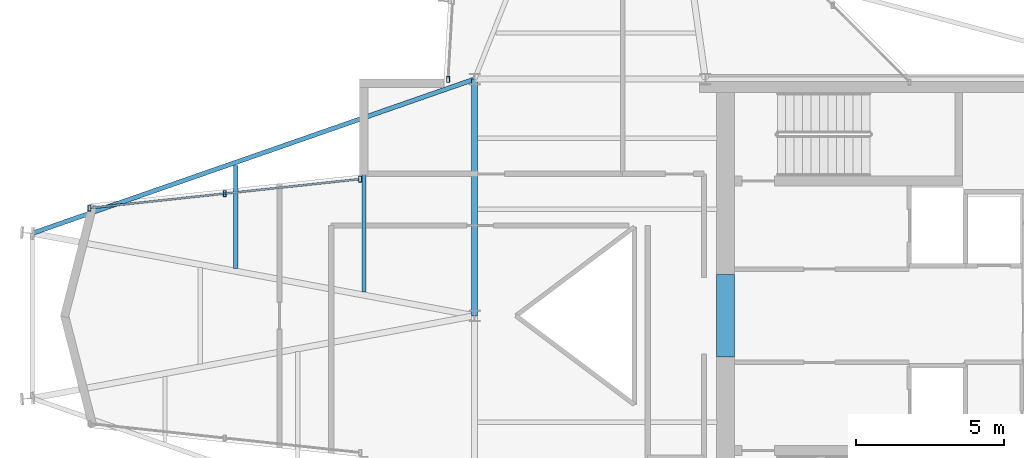
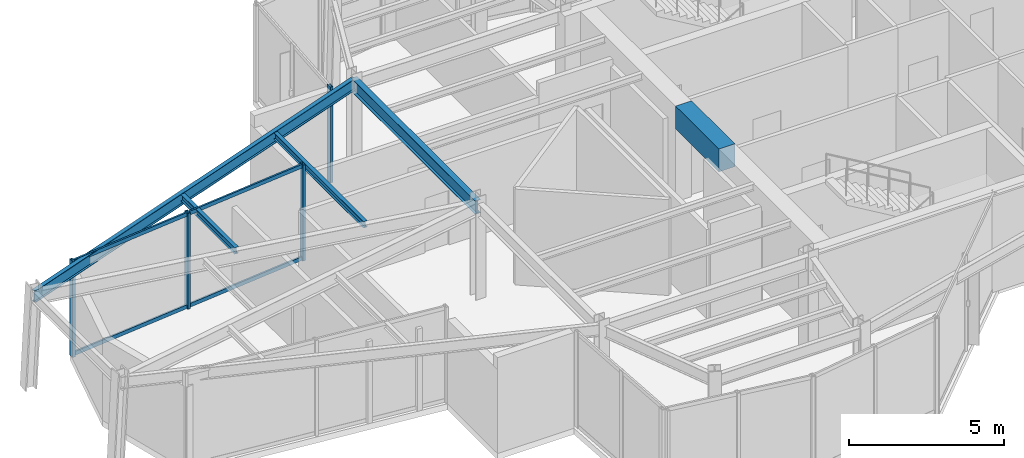
# One storey, part 4 of 13: 6 members, 5 beams, 2 elements without a shape of their own.
"""IFC4 building model written with IfcOpenShell, lengths in metres."""

from ifc_helpers import new_model, si_unit, direction, frame, origin, origin_2d, place, context, subcontext, project, spatial, rectangle, hollow_rectangle, i_section, extrude, material, layer, layer_set, material_profile, profile_set, type_object, element, aggregate, save


model = new_model("IFC4")

# Units and contexts
model_context = context("Model", 3, precision=1e-05, world=origin(), true_north=direction((0.0, 1.0)))
body_context = subcontext(model_context, "Body", "Model", "MODEL_VIEW")
ifc_project = project(units=[si_unit("LENGTHUNIT", "METRE"), si_unit("AREAUNIT", "SQUARE_METRE"), si_unit("VOLUMEUNIT", "CUBIC_METRE"), si_unit("PLANEANGLEUNIT", "RADIAN"), si_unit("MASSUNIT", "GRAM", prefix="KILO")], contexts=[model_context])

# Site, building, storey
site_placement = place(None, origin())
site = spatial("IfcSite", under=ifc_project, at=site_placement, CompositionType="ELEMENT")
building_placement = place(site_placement, origin())
building = spatial("IfcBuilding", under=site, at=building_placement, Name="Veymaron Broadcast Tower", CompositionType="ELEMENT")
storey_placement = place(building_placement, frame((0.0, 0.0, 311.39990234375)))
storey = spatial("IfcBuildingStorey", under=building, at=storey_placement, Name="L73", CompositionType="ELEMENT", Elevation=311.39990234375)

# Beams
ifc_material_1 = material(Name="Concrete C60/75", Category="concrete")
ifc_material_profile_1 = material_profile(ifc_material_1, rectangle(XDim=0.60009765625, YDim=0.89990234375, at=origin_2d()), Name="RC600X900")
ifc_profile_set_1 = profile_set([ifc_material_profile_1], Name="Concrete C60/75")
beam_type_1 = type_object("IfcBeamType", Name="BM-CB2", PredefinedType="LINTEL", material=ifc_profile_set_1)
beam_1_placement = place(storey_placement, frame((39.679931640625, 22.60009765625, 3.330078125), z_axis=(0.0, 1.0, 0.0), x_axis=(-1.0, 0.0, 0.0)))
element("IfcBeam", 1, at=beam_1_placement, inside=storey, type_object=beam_type_1, Name="L73 Core Wall west coupling beam", PredefinedType="LINTEL", context=body_context, shape_type="SweptSolid", body=[
    extrude(rectangle(XDim=0.60009765625, YDim=0.89990234375, at=origin_2d()), origin(), (0.0, 0.0, 1.0), 2.7998046875),
])
ifc_material_2 = material(Name="Structural steel ASTM A992 Gr 50", Category="steel")
ifc_material_profile_2 = material_profile(ifc_material_2, i_section(OverallWidth=0.208984375, OverallDepth=0.528076171875, WebThickness=0.009521484375, FlangeThickness=0.01318359375, at=origin_2d()), Name="W530X82")
ifc_profile_set_2 = profile_set([ifc_material_profile_2], Name="Structural steel ASTM A992 Gr 50")
beam_type_2 = type_object("IfcBeamType", Name="BM-FG4", PredefinedType="BEAM", material=ifc_profile_set_2)
beam_2_placement = place(storey_placement, frame((31.199951171875, 24.0, 3.51611328125), z_axis=(0.0, 1.0, 0.0), x_axis=(-1.0, 0.0, 0.0)))
element("IfcBeam", 2, at=beam_2_placement, inside=storey, type_object=beam_type_2, Name="L73 primary structural floor girder", PredefinedType="BEAM", context=body_context, shape_type="SweptSolid", body=[
    extrude(i_section(OverallWidth=0.208984375, OverallDepth=0.528076171875, WebThickness=0.009521484375, FlangeThickness=0.01318359375, at=origin_2d()), origin(), (0.0, 0.0, 1.0), 8.0),
])
ifc_material_profile_3 = material_profile(ifc_material_2, i_section(OverallWidth=0.14599609375, OverallDepth=0.258056640625, WebThickness=0.006103515625, FlangeThickness=0.009033203125, at=origin_2d()), Name="W250X33")
ifc_profile_set_3 = profile_set([ifc_material_profile_3], Name="Structural steel ASTM A992 Gr 50")
beam_type_3 = type_object("IfcBeamType", Name="BM-JS4", PredefinedType="JOIST", material=ifc_profile_set_3)
beam_3_placement = place(storey_placement, frame((23.12451171875, 25.60546875, 3.651123046875), z_axis=(0.0, 1.0, 0.0), x_axis=(-1.0, 0.0, 0.0)))
element("IfcBeam", 3, at=beam_3_placement, inside=storey, type_object=beam_type_3, Name="L73 Arm-A secondary joist 1N", PredefinedType="JOIST", context=body_context, shape_type="SweptSolid", body=[
    extrude(i_section(OverallWidth=0.14599609375, OverallDepth=0.258056640625, WebThickness=0.006103515625, FlangeThickness=0.009033203125, at=origin_2d()), origin(), (0.0, 0.0, 1.0), 3.47998046875),
])
beam_4_placement = place(storey_placement, frame((27.46142578125, 24.797119140625, 3.651123046875), z_axis=(0.0, 1.0, 0.0), x_axis=(-1.0, 0.0, 0.0)))
element("IfcBeam", 4, at=beam_4_placement, inside=storey, type_object=beam_type_3, Name="L73 Arm-A secondary joist 2N", PredefinedType="JOIST", context=body_context, shape_type="SweptSolid", body=[
    extrude(i_section(OverallWidth=0.14599609375, OverallDepth=0.258056640625, WebThickness=0.006103515625, FlangeThickness=0.009033203125, at=origin_2d()), origin(), (0.0, 0.0, 1.0), 5.7998046875),
])
ifc_material_profile_4 = material_profile(ifc_material_2, i_section(OverallWidth=0.154052734375, OverallDepth=0.458984375, WebThickness=0.009033203125, FlangeThickness=0.015380859375, at=origin_2d()), Name="W460X68")
ifc_profile_set_4 = profile_set([ifc_material_profile_4], Name="Structural steel ASTM A992 Gr 50")
beam_type_4 = type_object("IfcBeamType", Name="BM-SP2", PredefinedType="SPANDREL", material=ifc_profile_set_4)
beam_5_placement = place(storey_placement, frame((16.24560546875, 26.7880859375, 3.550537109375), z_axis=(0.944292797804, 0.329106535966, 0.0), x_axis=(-0.329106535966, 0.944292797804, 0.0)))
element("IfcBeam", 5, at=beam_5_placement, inside=storey, type_object=beam_type_4, Name="L73 primary structural floor girder", PredefinedType="SPANDREL", context=body_context, shape_type="SweptSolid", body=[
    extrude(i_section(OverallWidth=0.154052734375, OverallDepth=0.458984375, WebThickness=0.009033203125, FlangeThickness=0.015380859375, at=origin_2d()), origin(), (0.0, 0.0, 1.0), 15.836669921875),
])

# Curtain wall, member
ifc_material_3 = material(Name="Anodised aluminium AA 6063-T6 and laminated low-E dark glass", Category="aluminium")
ifc_layer = layer(ifc_material_3, 0.179931640625)
ifc_layer_set = layer_set([ifc_layer], Name="Anodised aluminium AA 6063-T6 and laminated low-E dark glass")
curtain_wall_type = type_object("IfcCurtainWallType", Name="CW-SYS-06", PredefinedType="NOTDEFINED", material=ifc_layer_set)
curtain_wall_1_placement = place(storey_placement, origin())
curtain_wall_1 = element("IfcCurtainWall", 6, at=curtain_wall_1_placement, inside=storey, type_object=curtain_wall_type, Name="L73 dark-glass curtain wall CW-L73-E8-1", PredefinedType="NOTDEFINED")
ifc_material_4 = material(Name="Anodised aluminium AA 6063-T6", Category="aluminium")
ifc_material_profile_5 = material_profile(ifc_material_4, hollow_rectangle(XDim=0.10009765625, YDim=0.199951171875, WallThickness=0.010009765625, at=origin_2d()), Name="RHS200X100X10")
ifc_profile_set_5 = profile_set([ifc_material_profile_5], Name="Anodised aluminium AA 6063-T6")
member_type_1 = type_object("IfcMemberType", Name="CW-MUL-01", PredefinedType="MULLION", material=ifc_profile_set_5)
member_1_placement = place(storey_placement, frame((30.2998046875, 31.991943359375, 0.0), z_axis=(0.0, 0.0, 1.0), x_axis=(1.0, 0.0, 0.0)))
member_1 = element("IfcMember", 7, at=member_1_placement, type_object=member_type_1, Name="CW-L73-E8-1 mullion 2", PredefinedType="MULLION", context=body_context, shape_type="SweptSolid", body=[
    extrude(hollow_rectangle(XDim=0.10009765625, YDim=0.199951171875, WallThickness=0.010009765625, at=origin_2d()), origin(), (0.0, 0.0, 1.0), 3.780029296875),
])
aggregate(curtain_wall_1, [member_1])

# Curtain wall, members
curtain_wall_2_placement = place(storey_placement, origin())
curtain_wall_2 = element("IfcCurtainWall", 8, at=curtain_wall_2_placement, inside=storey, type_object=curtain_wall_type, Name="L73 dark-glass curtain wall CW-L73-E11-1", PredefinedType="NOTDEFINED")
member_2_placement = place(storey_placement, frame((27.32861328125, 28.62060546875, 0.0), z_axis=(0.0, 0.0, 1.0), x_axis=(1.0, 0.0, 0.0)))
member_2 = element("IfcMember", 9, at=member_2_placement, type_object=member_type_1, Name="CW-L73-E11-1 mullion 0", PredefinedType="MULLION", context=body_context, shape_type="SweptSolid", body=[
    extrude(hollow_rectangle(XDim=0.10009765625, YDim=0.199951171875, WallThickness=0.010009765625, at=origin_2d()), origin(), (0.0, 0.0, 1.0), 3.780029296875),
])
member_3_placement = place(storey_placement, frame((22.751708984375, 28.130859375, 0.0), z_axis=(0.0, 0.0, 1.0), x_axis=(1.0, 0.0, 0.0)))
member_3 = element("IfcMember", 10, at=member_3_placement, type_object=member_type_1, Name="CW-L73-E11-1 mullion 1", PredefinedType="MULLION", context=body_context, shape_type="SweptSolid", body=[
    extrude(hollow_rectangle(XDim=0.10009765625, YDim=0.199951171875, WallThickness=0.010009765625, at=origin_2d()), origin(), (0.0, 0.0, 1.0), 3.780029296875),
])
member_4_placement = place(storey_placement, frame((18.1748046875, 27.64111328125, 0.0), z_axis=(0.0, 0.0, 1.0), x_axis=(1.0, 0.0, 0.0)))
member_4 = element("IfcMember", 11, at=member_4_placement, type_object=member_type_1, Name="CW-L73-E11-1 mullion 2", PredefinedType="MULLION", context=body_context, shape_type="SweptSolid", body=[
    extrude(hollow_rectangle(XDim=0.10009765625, YDim=0.199951171875, WallThickness=0.010009765625, at=origin_2d()), origin(), (0.0, 0.0, 1.0), 3.780029296875),
])
ifc_material_profile_6 = material_profile(ifc_material_4, hollow_rectangle(XDim=0.06494140625, YDim=0.14990234375, WallThickness=0.00390625, at=origin_2d()), Name="AL150X65X4")
ifc_profile_set_6 = profile_set([ifc_material_profile_6], Name="Anodised aluminium AA 6063-T6")
member_type_2 = type_object("IfcMemberType", Name="CW-TRN-01", PredefinedType="USERDEFINED", material=ifc_profile_set_6)
member_5_placement = place(storey_placement, frame((27.27880859375, 28.615478515625, 0.070068359375), z_axis=(-0.994319089673, -0.106440349081, 0.0), x_axis=(0.106440349081, -0.994319089673, 0.0)))
member_5 = element("IfcMember", 12, at=member_5_placement, type_object=member_type_2, Name="CW-L73-E11-1 transom B", ObjectType="TRANSOM", PredefinedType="USERDEFINED", context=body_context, shape_type="SweptSolid", body=[
    extrude(hollow_rectangle(XDim=0.06494140625, YDim=0.14990234375, WallThickness=0.00390625, at=origin_2d()), origin(), (0.0, 0.0, 1.0), 9.10595703125),
])
member_6_placement = place(storey_placement, frame((27.27880859375, 28.615478515625, 3.710205078125), z_axis=(-0.994319089673, -0.106440349081, 0.0), x_axis=(0.106440349081, -0.994319089673, 0.0)))
member_6 = element("IfcMember", 13, at=member_6_placement, type_object=member_type_2, Name="CW-L73-E11-1 transom T", ObjectType="TRANSOM", PredefinedType="USERDEFINED", context=body_context, shape_type="SweptSolid", body=[
    extrude(hollow_rectangle(XDim=0.06494140625, YDim=0.14990234375, WallThickness=0.00390625, at=origin_2d()), origin(), (0.0, 0.0, 1.0), 9.10595703125),
])
aggregate(curtain_wall_2, [member_2, member_3, member_4, member_5, member_6])

save(model, "model.ifc")
